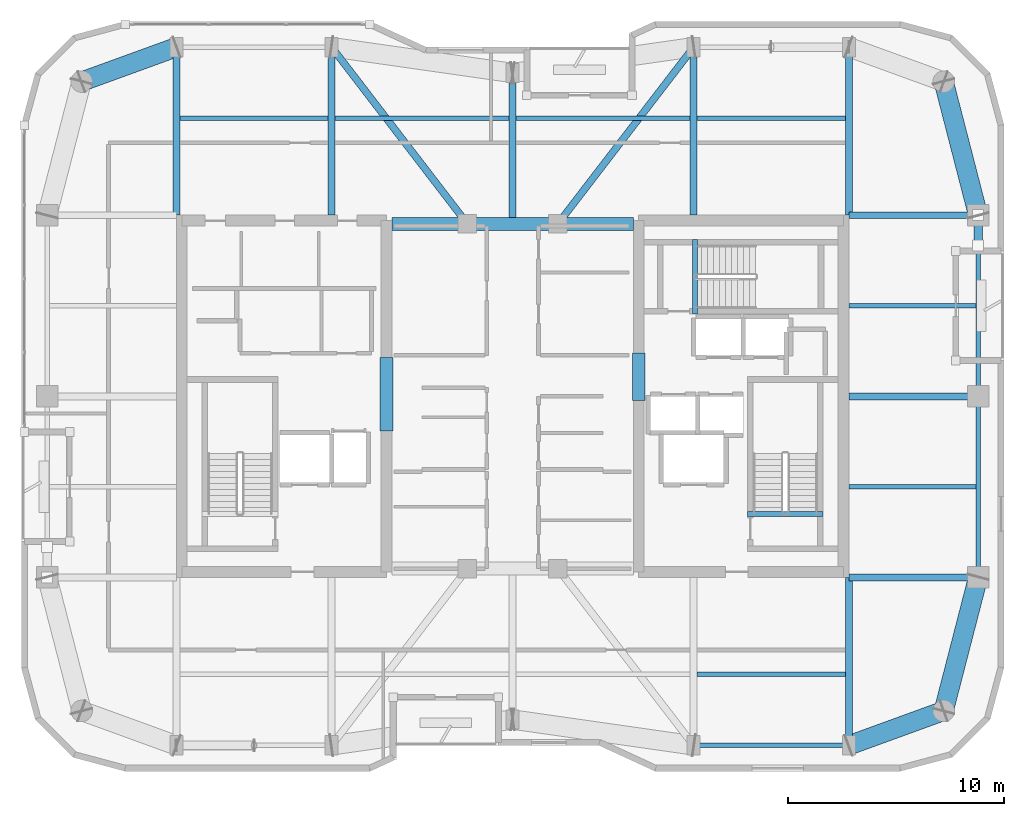
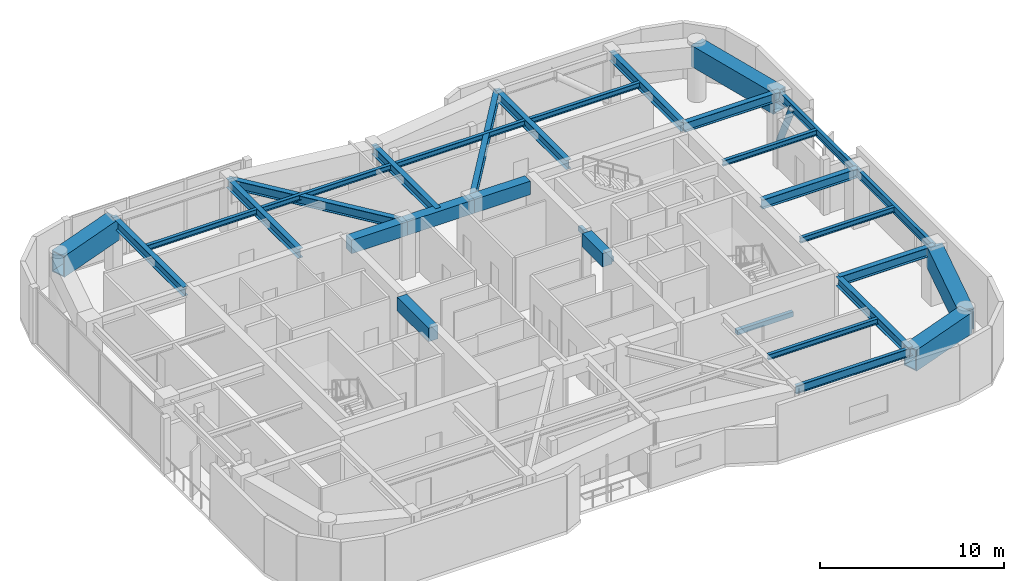
# One storey, part 5 of 15: 32 beams, 1 member.
"""IFC4 building model written with IfcOpenShell, lengths in metres."""

import ifcopenshell
import ifcopenshell.guid

model = None  # the IFC model being written
_history = None  # IfcOwnerHistory: only IFC2X3 demands one
_inside = {}  # id of a spatial element -> (the spatial element, [elements in it])
_under = {}  # id of a project, library or spatial element -> (it, [spatial elements below it])
_declared = {}  # id of a project -> (the project, [libraries it declares])
_typed = {}  # id of a type object -> (the type object, [elements of that type])
_made_of = {}  # id of a material, layer set ... -> (it, [elements and type objects made of it])


def new_model(schema):
    """Start an empty IFC model of exactly this schema.

    Asked for "IFC4X3", IfcOpenShell would pick the latest addendum, in which some entities
    have other attributes; the version numbers below select the first issue.
    IFC2X3 requires an IfcOwnerHistory on every rooted entity: one is made here for all.
    """
    global model, _history
    if schema == "IFC4X3":
        model = ifcopenshell.file(schema_version=(4, 3, 0, 0))
    else:
        model = ifcopenshell.file(schema=schema)
    _inside.clear()
    _under.clear()
    _declared.clear()
    _typed.clear()
    _made_of.clear()
    _history = None
    if model.schema == "IFC2X3":
        org = make("IfcOrganization", Name="unknown")
        user = make(
            "IfcPersonAndOrganization",
            ThePerson=make("IfcPerson", FamilyName="unknown"),
            TheOrganization=org,
        )
        app = make(
            "IfcApplication",
            ApplicationDeveloper=org,
            Version="unknown",
            ApplicationFullName="unknown",
            ApplicationIdentifier="unknown",
        )
        _history = make(
            "IfcOwnerHistory",
            OwningUser=user,
            OwningApplication=app,
            ChangeAction="ADDED",
            CreationDate=0,
        )
    return model


def make(cls, **values):
    """One entity of the class cls with the attributes given. An attribute that is None is left unset."""
    return model.create_entity(
        cls, **{name: value for name, value in values.items() if value is not None}
    )


def rooted(cls, **values):
    """An entity with a GlobalId (a new one), such as an element, a storey or a relation."""
    return make(cls, GlobalId=ifcopenshell.guid.new(), OwnerHistory=_history, **values)


def si_unit(unit_type, name, prefix=None):
    """IfcSIUnit, for example si_unit("LENGTHUNIT", "METRE", prefix="MILLI")."""
    return make("IfcSIUnit", UnitType=unit_type, Prefix=prefix, Name=name)


def assignment(units):
    """IfcUnitAssignment: the units of a project."""
    return None if units is None else make("IfcUnitAssignment", Units=units)


def point(xyz):
    """IfcCartesianPoint."""
    return None if xyz is None else make("IfcCartesianPoint", Coordinates=xyz)


def direction(xyz):
    """IfcDirection."""
    return None if xyz is None else make("IfcDirection", DirectionRatios=xyz)


def frame(location, z_axis=None, x_axis=None):
    """IfcAxis2Placement3D, a coordinate frame: its origin and axes. An axis left out is left unset."""
    return make(
        "IfcAxis2Placement3D",
        Location=point(location),
        Axis=direction(z_axis),
        RefDirection=direction(x_axis),
    )


def frame_2d(location, x_axis=None):
    """IfcAxis2Placement2D, a coordinate frame in the plane: its origin and x axis."""
    return make(
        "IfcAxis2Placement2D", Location=point(location), RefDirection=direction(x_axis)
    )


def origin():
    """The frame at (0, 0, 0) with its axes left unset."""
    return frame((0.0, 0.0, 0.0))


def origin_2d():
    """The frame at (0, 0) in the plane with its x axis left unset."""
    return frame_2d((0.0, 0.0))


def place(relative_to, where):
    """IfcLocalPlacement: puts the frame where relative to a parent placement (None: the world)."""
    return make(
        "IfcLocalPlacement", PlacementRelTo=relative_to, RelativePlacement=where
    )


def context(
    kind, dimensions, precision=None, world=None, true_north=None, identifier=None
):
    """IfcGeometricRepresentationContext, for example the 3D "Model" context."""
    return make(
        "IfcGeometricRepresentationContext",
        ContextIdentifier=identifier,
        ContextType=kind,
        CoordinateSpaceDimension=dimensions,
        Precision=precision,
        WorldCoordinateSystem=world,
        TrueNorth=true_north,
    )


def subcontext(parent, identifier, kind, view, scale=None):
    """IfcGeometricRepresentationSubContext, for example "Body" below "Model"."""
    return make(
        "IfcGeometricRepresentationSubContext",
        ContextIdentifier=identifier,
        ContextType=kind,
        ParentContext=parent,
        TargetScale=scale,
        TargetView=view,
    )


def project(units=None, contexts=None):
    """IfcProject with its units and contexts."""
    return rooted(
        "IfcProject",
        Name="project",
        RepresentationContexts=contexts,
        UnitsInContext=assignment(units),
    )


def spatial(cls, under=None, at=None, **own):
    """A site, building, storey or space (cls), placed at a placement, below another one or the project."""
    s = rooted(cls, ObjectPlacement=at, **own)
    if under is not None:
        _under.setdefault(under.id(), (under, []))[1].append(s)
    return s


def profile(cls, at=None, kind="AREA", **sizes):
    """A parametric profile (cls). Its sizes go by their IFC names, for example OverallWidth=200.0."""
    return make(cls, ProfileType=kind, Position=at, **sizes)


def rectangle(**sizes):
    """IfcRectangleProfileDef."""
    return profile("IfcRectangleProfileDef", **sizes)


def hollow_rectangle(**sizes):
    """IfcRectangleHollowProfileDef."""
    return profile("IfcRectangleHollowProfileDef", **sizes)


def hollow_circle(**sizes):
    """IfcCircleHollowProfileDef."""
    return profile("IfcCircleHollowProfileDef", **sizes)


def i_section(**sizes):
    """IfcIShapeProfileDef."""
    return profile("IfcIShapeProfileDef", **sizes)


def extrude(swept, where, along, depth):
    """IfcExtrudedAreaSolid: the profile swept, set in the frame where, extruded along a direction by depth."""
    return make(
        "IfcExtrudedAreaSolid",
        SweptArea=swept,
        Position=where,
        ExtrudedDirection=direction(along),
        Depth=depth,
    )


def shape(context_of_items, identifier, shape_type, items):
    """IfcShapeRepresentation: the items that make up one representation, for example the "Body"."""
    return make(
        "IfcShapeRepresentation",
        ContextOfItems=context_of_items,
        RepresentationIdentifier=identifier,
        RepresentationType=shape_type,
        Items=items,
    )


def material(Name=None, Category=None):
    """IfcMaterial."""
    return make("IfcMaterial", Name=Name, Category=Category)


def material_profile(
    of_material, cross_section, Name=None, Category=None, Priority=None
):
    """IfcMaterialProfile: a cross section and its material."""
    return make(
        "IfcMaterialProfile",
        Name=Name,
        Material=of_material,
        Profile=cross_section,
        Priority=Priority,
        Category=Category,
    )


def profile_set(profiles, Name=None, composite=None):
    """IfcMaterialProfileSet."""
    return make(
        "IfcMaterialProfileSet",
        Name=Name,
        MaterialProfiles=profiles,
        CompositeProfile=composite,
    )


def made_of(thing, what):
    """Note that an element or type object is made of a material, layer set ...; save() writes the relation."""
    if what is not None:
        _made_of.setdefault(what.id(), (what, []))[1].append(thing)
    return thing


def type_object(cls, material=None, **own):
    """A type object (cls), such as IfcWallType, which elements share."""
    return made_of(rooted(cls, **own), material)


def element(
    cls,
    number,
    at=None,
    inside=None,
    cuts=None,
    type_object=None,
    material=None,
    context=None,
    identifier="Body",
    shape_type=None,
    held_by="IfcProductDefinitionShape",
    body=None,
    shapes=None,
    **own,
):
    """One element of the class cls, such as IfcWall. Its Tag is "e" and its number.

    at: its placement. inside: the storey or other place that contains it. cuts: it is an
    opening in that element (IfcRelVoidsElement). A single representation is given by context,
    identifier, shape_type and body (its items); several are given by shapes. held_by: the class
    of the entity that holds the representations. save() writes the other relations.
    """
    e = rooted(cls, Tag="e%d" % number, ObjectPlacement=at, **own)
    if body is not None:
        shapes = [shape(context, identifier, shape_type, body)]
    if shapes is not None:
        e.Representation = make(held_by, Representations=shapes)
    if inside is not None:
        _inside.setdefault(inside.id(), (inside, []))[1].append(e)
    if cuts is not None:
        rooted(
            "IfcRelVoidsElement", RelatingBuildingElement=cuts, RelatedOpeningElement=e
        )
    if type_object is not None:
        _typed.setdefault(type_object.id(), (type_object, []))[1].append(e)
    return made_of(e, material)


def aggregate(whole, parts):
    """IfcRelAggregates: a whole, such as a stair, and the parts it consists of."""
    return rooted("IfcRelAggregates", RelatingObject=whole, RelatedObjects=parts)


def save(model, path):
    """Write the relations noted so far, then the file.

    IfcRelAggregates (storeys below a building ...), IfcRelContainedInSpatialStructure (elements
    in a storey), IfcRelDefinesByType, IfcRelAssociatesMaterial and IfcRelDeclares: one each for
    every whole, place, type object, material and project.
    """
    for whole, parts in _under.values():
        aggregate(whole, parts)
    for where, things in _inside.values():
        rooted(
            "IfcRelContainedInSpatialStructure",
            RelatedElements=things,
            RelatingStructure=where,
        )
    for kind, things in _typed.values():
        rooted("IfcRelDefinesByType", RelatedObjects=things, RelatingType=kind)
    for what, things in _made_of.values():
        rooted("IfcRelAssociatesMaterial", RelatedObjects=things, RelatingMaterial=what)
    for by, libraries in _declared.values():
        rooted("IfcRelDeclares", RelatingContext=by, RelatedDefinitions=libraries)
    model.write(path)


model = new_model("IFC4")

# Units and contexts
model_context = context("Model", 3, precision=1e-05, world=origin(), true_north=direction((0.0, 1.0)))
body_context = subcontext(model_context, "Body", "Model", "MODEL_VIEW")
ifc_project = project(units=[si_unit("LENGTHUNIT", "METRE"), si_unit("AREAUNIT", "SQUARE_METRE"), si_unit("VOLUMEUNIT", "CUBIC_METRE"), si_unit("PLANEANGLEUNIT", "RADIAN"), si_unit("MASSUNIT", "GRAM", prefix="KILO")], contexts=[model_context])

# Site, building, storey
site_placement = place(None, origin())
site = spatial("IfcSite", under=ifc_project, at=site_placement, CompositionType="ELEMENT")
building_placement = place(site_placement, origin())
building = spatial("IfcBuilding", under=site, at=building_placement, Name="Kiyonajd Concourse Tower", CompositionType="ELEMENT")
storey_placement = place(building_placement, frame((0.0, 0.0, 290.10009765625)))
storey = spatial("IfcBuildingStorey", under=building, at=storey_placement, Name="L73", CompositionType="ELEMENT", Elevation=290.10009765625)

# Beams
ifc_material_1 = material(Name="Concrete C60/75", Category="concrete")
ifc_material_profile_1 = material_profile(ifc_material_1, rectangle(XDim=0.60009765625, YDim=0.89990234375, at=origin_2d()), Name="RCBM-600x900")
ifc_profile_set_1 = profile_set([ifc_material_profile_1], Name="Concrete C60/75")
beam_type_1 = type_object("IfcBeamType", Name="BM-COUP-900", PredefinedType="LINTEL", material=ifc_profile_set_1)
beam_1_placement = place(storey_placement, frame((42.39990234375, 44.0, 3.22998046875), z_axis=(1.0, 0.0, 0.0), x_axis=(0.0, 1.0, 0.0)))
element("IfcBeam", 1, at=beam_1_placement, inside=storey, type_object=beam_type_1, Name="L73 Core Coupling Beam N1", PredefinedType="LINTEL", context=body_context, shape_type="SweptSolid", body=[
    extrude(rectangle(XDim=0.60009765625, YDim=0.89990234375, at=origin_2d()), origin(), (0.0, 0.0, 1.0), 3.5),
])
beam_2_placement = place(storey_placement, frame((45.89990234375, 44.0, 3.22998046875), z_axis=(1.0, 0.0, 0.0), x_axis=(0.0, 1.0, 0.0)))
element("IfcBeam", 2, at=beam_2_placement, inside=storey, type_object=beam_type_1, Name="L73 Core Coupling Beam N2", PredefinedType="LINTEL", context=body_context, shape_type="SweptSolid", body=[
    extrude(rectangle(XDim=0.60009765625, YDim=0.89990234375, at=origin_2d()), origin(), (0.0, 0.0, 1.0), 4.2001953125),
])
beam_3_placement = place(storey_placement, frame((50.10009765625, 44.0, 3.22998046875), z_axis=(1.0, 0.0, 0.0), x_axis=(0.0, 1.0, 0.0)))
element("IfcBeam", 3, at=beam_3_placement, inside=storey, type_object=beam_type_1, Name="L73 Core Coupling Beam N3", PredefinedType="LINTEL", context=body_context, shape_type="SweptSolid", body=[
    extrude(rectangle(XDim=0.60009765625, YDim=0.89990234375, at=origin_2d()), origin(), (0.0, 0.0, 1.0), 3.5),
])
beam_4_placement = place(storey_placement, frame((42.14990234375, 34.39990234375, 3.22998046875), z_axis=(0.0, 1.0, 0.0), x_axis=(-1.0, 0.0, 0.0)))
element("IfcBeam", 4, at=beam_4_placement, inside=storey, type_object=beam_type_1, Name="L73 West Core Throat Coupling Lintel", PredefinedType="LINTEL", context=body_context, shape_type="SweptSolid", body=[
    extrude(rectangle(XDim=0.60009765625, YDim=0.89990234375, at=origin_2d()), origin(), (0.0, 0.0, 1.0), 3.400146484375),
])
beam_5_placement = place(storey_placement, frame((53.85009765625, 35.800048828125, 3.22998046875), z_axis=(0.0, 1.0, 0.0), x_axis=(-1.0, 0.0, 0.0)))
element("IfcBeam", 5, at=beam_5_placement, inside=storey, type_object=beam_type_1, Name="L73 East Core Throat Coupling Lintel", PredefinedType="LINTEL", context=body_context, shape_type="SweptSolid", body=[
    extrude(rectangle(XDim=0.60009765625, YDim=0.89990234375, at=origin_2d()), origin(), (0.0, 0.0, 1.0), 2.199951171875),
])
ifc_material_2 = material(Name="Steel ASTM A992 Grade 50", Category="steel")
ifc_material_profile_2 = material_profile(ifc_material_2, i_section(OverallWidth=0.205078125, OverallDepth=0.35400390625, WebThickness=0.009521484375, FlangeThickness=0.016845703125, at=origin_2d()), Name="W360X79")
ifc_profile_set_2 = profile_set([ifc_material_profile_2], Name="Steel ASTM A992 Grade 50")
beam_type_2 = type_object("IfcBeamType", Name="BM-JST-360", PredefinedType="JOIST", material=ifc_profile_set_2)
for number, where, z_axis, x_axis, name in (
    (6, (56.56201171875, 23.10009765625, 3.5029296875), (1.0, 0.0, 0.0), (0.0, 1.0, 0.0), "L73 Secondary Floor Joist"),
    (7, (32.56201171875, 48.89990234375, 3.5029296875), (1.0, 0.0, 0.0), (0.0, 1.0, 0.0), "L73 Secondary Floor Joist"),
):
    element("IfcBeam", number, at=place(storey_placement, frame(where, z_axis=z_axis, x_axis=x_axis)), inside=storey, type_object=beam_type_2, Name=name, PredefinedType="JOIST", context=body_context, shape_type="SweptSolid", body=[
        extrude(i_section(OverallWidth=0.205078125, OverallDepth=0.35400390625, WebThickness=0.009521484375, FlangeThickness=0.016845703125, at=origin_2d()), origin(), (0.0, 0.0, 1.0), 6.8759765625),
    ])
for number, where, z_axis, x_axis, name in (
    (8, (39.761962890625, 48.89990234375, 3.5029296875), (1.0, 0.0, 0.0), (0.0, 1.0, 0.0), "L73 Secondary Floor Joist"),
    (9, (48.162109375, 48.89990234375, 3.5029296875), (1.0, 0.0, 0.0), (0.0, 1.0, 0.0), "L73 Secondary Floor Joist"),
):
    element("IfcBeam", number, at=place(storey_placement, frame(where, z_axis=z_axis, x_axis=x_axis)), inside=storey, type_object=beam_type_2, Name=name, PredefinedType="JOIST", context=body_context, shape_type="SweptSolid", body=[
        extrude(i_section(OverallWidth=0.205078125, OverallDepth=0.35400390625, WebThickness=0.009521484375, FlangeThickness=0.016845703125, at=origin_2d()), origin(), (0.0, 0.0, 1.0), 8.075927734375),
    ])
beam_6_placement = place(storey_placement, frame((56.56201171875, 48.89990234375, 3.5029296875), z_axis=(1.0, 0.0, 0.0), x_axis=(0.0, 1.0, 0.0)))
element("IfcBeam", 10, at=beam_6_placement, inside=storey, type_object=beam_type_2, Name="L73 Secondary Floor Joist", PredefinedType="JOIST", context=body_context, shape_type="SweptSolid", body=[
    extrude(i_section(OverallWidth=0.205078125, OverallDepth=0.35400390625, WebThickness=0.009521484375, FlangeThickness=0.016845703125, at=origin_2d()), origin(), (0.0, 0.0, 1.0), 6.8759765625),
])
for number, where, z_axis, x_axis, name in (
    (11, (63.60009765625, 31.800048828125, 3.5029296875), (1.0, 0.0, 0.0), (0.0, 1.0, 0.0), "L73 East Secondary Floor Joist"),
    (12, (63.60009765625, 40.199951171875, 3.5029296875), (1.0, 0.0, 0.0), (0.0, 1.0, 0.0), "L73 East Secondary Floor Joist"),
):
    element("IfcBeam", number, at=place(storey_placement, frame(where, z_axis=z_axis, x_axis=x_axis)), inside=storey, type_object=beam_type_2, Name=name, PredefinedType="JOIST", context=body_context, shape_type="SweptSolid", body=[
        extrude(i_section(OverallWidth=0.205078125, OverallDepth=0.35400390625, WebThickness=0.009521484375, FlangeThickness=0.016845703125, at=origin_2d()), origin(), (0.0, 0.0, 1.0), 5.894287109375),
    ])
ifc_material_3 = material(Name="Concrete C50/60", Category="concrete")
ifc_material_profile_3 = material_profile(ifc_material_3, rectangle(XDim=0.239990234375, YDim=0.320068359375, at=origin_2d()), Name="RCBM-240x320")
ifc_profile_set_3 = profile_set([ifc_material_profile_3], Name="Concrete C50/60")
beam_type_3 = type_object("IfcBeamType", Name="BM-LNT-250", PredefinedType="LINTEL", material=ifc_profile_set_3)
beam_7_placement = place(storey_placement, frame((58.889892578125, 30.530029296875, -0.16015625), z_axis=(1.0, 0.0, 0.0), x_axis=(0.0, 1.0, 0.0)))
element("IfcBeam", 13, at=beam_7_placement, inside=storey, type_object=beam_type_3, Name="L73 Stair ST2 Threshold Support Beam", PredefinedType="LINTEL", context=body_context, shape_type="SweptSolid", body=[
    extrude(rectangle(XDim=0.239990234375, YDim=0.320068359375, at=origin_2d()), origin(), (0.0, 0.0, 1.0), 3.52001953125),
])
beam_8_placement = place(storey_placement, frame((56.4599609375, 39.820068359375, -0.16015625), z_axis=(0.0, 1.0, 0.0), x_axis=(-1.0, 0.0, 0.0)))
element("IfcBeam", 14, at=beam_8_placement, inside=storey, type_object=beam_type_3, Name="L73 Stair ST3 Threshold Support Beam", PredefinedType="LINTEL", context=body_context, shape_type="SweptSolid", body=[
    extrude(rectangle(XDim=0.239990234375, YDim=0.320068359375, at=origin_2d()), origin(), (0.0, 0.0, 1.0), 3.4599609375),
])
ifc_material_profile_4 = material_profile(ifc_material_2, i_section(OverallWidth=0.2109375, OverallDepth=0.5390625, WebThickness=0.01171875, FlangeThickness=0.018798828125, at=origin_2d()), Name="W530X109")
ifc_profile_set_4 = profile_set([ifc_material_profile_4], Name="Steel ASTM A992 Grade 50")
beam_type_4 = type_object("IfcBeamType", Name="BM-SPAN-530B", PredefinedType="SPANDREL", material=ifc_profile_set_4)
beam_9_placement = place(storey_placement, frame((56.39990234375, 19.800048828125, 3.410400390625), z_axis=(1.0, 0.0, 0.0), x_axis=(0.0, 1.0, 0.0)))
element("IfcBeam", 15, at=beam_9_placement, inside=storey, type_object=beam_type_4, Name="L73 Perimeter Bundled Tube Spandrel", PredefinedType="SPANDREL", context=body_context, shape_type="SweptSolid", body=[
    extrude(i_section(OverallWidth=0.2109375, OverallDepth=0.5390625, WebThickness=0.01171875, FlangeThickness=0.018798828125, at=origin_2d()), origin(), (0.0, 0.0, 1.0), 7.2001953125),
])
for number, where, z_axis, x_axis, name in (
    (16, (69.60009765625, 27.60009765625, 3.410400390625), (0.0, 1.0, 0.0), (-1.0, 0.0, 0.0), "L73 Perimeter Bundled Tube Spandrel"),
    (17, (69.60009765625, 36.0, 3.410400390625), (0.0, 1.0, 0.0), (-1.0, 0.0, 0.0), "L73 Perimeter Bundled Tube Spandrel"),
):
    element("IfcBeam", number, at=place(storey_placement, frame(where, z_axis=z_axis, x_axis=x_axis)), inside=storey, type_object=beam_type_4, Name=name, PredefinedType="SPANDREL", context=body_context, shape_type="SweptSolid", body=[
        extrude(i_section(OverallWidth=0.2109375, OverallDepth=0.5390625, WebThickness=0.01171875, FlangeThickness=0.018798828125, at=origin_2d()), origin(), (0.0, 0.0, 1.0), 8.39990234375),
    ])
ifc_material_profile_5 = material_profile(ifc_material_2, i_section(OverallWidth=0.326904296875, OverallDepth=0.6220703125, WebThickness=0.015380859375, FlangeThickness=0.0244140625, at=origin_2d()), Name="W610X195")
ifc_profile_set_5 = profile_set([ifc_material_profile_5], Name="Steel ASTM A992 Grade 50")
beam_type_5 = type_object("IfcBeamType", Name="BM-TWR-610A", PredefinedType="BEAM", material=ifc_profile_set_5)
for number, where, z_axis, x_axis, name in (
    (18, (39.60009765625, 52.199951171875, 3.368896484375), (0.609233709922, -0.792990722956, 0.0), (0.792990722956, 0.609233709922, 0.0), "L73 Core Tie Girder"),
    (19, (50.10009765625, 44.0, 3.368896484375), (0.609233709922, 0.792990722956, 0.0), (-0.792990722956, 0.609233709922, 0.0), "L73 Core Tie Girder"),
):
    element("IfcBeam", number, at=place(storey_placement, frame(where, z_axis=z_axis, x_axis=x_axis)), inside=storey, type_object=beam_type_5, Name=name, PredefinedType="BEAM", context=body_context, shape_type="SweptSolid", body=[
        extrude(i_section(OverallWidth=0.326904296875, OverallDepth=0.6220703125, WebThickness=0.015380859375, FlangeThickness=0.0244140625, at=origin_2d()), origin(), (0.0, 0.0, 1.0), 10.340576171875),
    ])
ifc_material_profile_6 = material_profile(ifc_material_2, i_section(OverallWidth=0.323974609375, OverallDepth=0.611083984375, WebThickness=0.0126953125, FlangeThickness=0.01904296875, at=origin_2d()), Name="W610X155")
ifc_profile_set_6 = profile_set([ifc_material_profile_6], Name="Steel ASTM A992 Grade 50")
beam_type_6 = type_object("IfcBeamType", Name="BM-TWR-610B", PredefinedType="BEAM", material=ifc_profile_set_6)
for number, where, z_axis, x_axis, name in (
    (20, (32.39990234375, 44.39990234375, 3.37451171875), (0.0, 1.0, 0.0), (-1.0, 0.0, 0.0), "L73 North Lease Girder"),
    (21, (39.60009765625, 44.39990234375, 3.37451171875), (0.0, 1.0, 0.0), (-1.0, 0.0, 0.0), "L73 North Lease Girder"),
    (22, (56.39990234375, 44.39990234375, 3.37451171875), (0.0, 1.0, 0.0), (-1.0, 0.0, 0.0), "L73 North Lease Girder"),
    (23, (63.60009765625, 19.800048828125, 3.37451171875), (0.0, 1.0, 0.0), (-1.0, 0.0, 0.0), "L73 South Lease Girder"),
    (24, (63.60009765625, 44.39990234375, 3.37451171875), (0.0, 1.0, 0.0), (-1.0, 0.0, 0.0), "L73 North Lease Girder"),
):
    element("IfcBeam", number, at=place(storey_placement, frame(where, z_axis=z_axis, x_axis=x_axis)), inside=storey, type_object=beam_type_6, Name=name, PredefinedType="BEAM", context=body_context, shape_type="SweptSolid", body=[
        extrude(i_section(OverallWidth=0.323974609375, OverallDepth=0.611083984375, WebThickness=0.0126953125, FlangeThickness=0.01904296875, at=origin_2d()), origin(), (0.0, 0.0, 1.0), 7.800048828125),
    ])
beam_10_placement = place(storey_placement, frame((48.0, 44.0, 3.37451171875), z_axis=(0.0, 1.0, 0.0), x_axis=(-1.0, 0.0, 0.0)))
element("IfcBeam", 25, at=beam_10_placement, inside=storey, type_object=beam_type_6, Name="L73 North Ribbon Girder", PredefinedType="BEAM", context=body_context, shape_type="SweptSolid", body=[
    extrude(i_section(OverallWidth=0.323974609375, OverallDepth=0.611083984375, WebThickness=0.0126953125, FlangeThickness=0.01904296875, at=origin_2d()), origin(), (0.0, 0.0, 1.0), 7.0),
])
for number, where, z_axis, x_axis, name in (
    (26, (63.60009765625, 27.60009765625, 3.37451171875), (1.0, 0.0, 0.0), (0.0, 1.0, 0.0), "L73 East Lease Girder"),
    (27, (63.60009765625, 36.0, 3.37451171875), (1.0, 0.0, 0.0), (0.0, 1.0, 0.0), "L73 East Lease Girder"),
    (28, (63.60009765625, 44.39990234375, 3.37451171875), (1.0, 0.0, 0.0), (0.0, 1.0, 0.0), "L73 East Lease Girder"),
):
    element("IfcBeam", number, at=place(storey_placement, frame(where, z_axis=z_axis, x_axis=x_axis)), inside=storey, type_object=beam_type_6, Name=name, PredefinedType="BEAM", context=body_context, shape_type="SweptSolid", body=[
        extrude(i_section(OverallWidth=0.323974609375, OverallDepth=0.611083984375, WebThickness=0.0126953125, FlangeThickness=0.01904296875, at=origin_2d()), origin(), (0.0, 0.0, 1.0), 6.0),
    ])
ifc_material_4 = material(Name="Steel ASTM A572 Grade 50", Category="steel")
ifc_material_profile_7 = material_profile(ifc_material_4, hollow_rectangle(XDim=0.89990234375, YDim=1.39990234375, WallThickness=0.070068359375, at=origin_2d()), Name="BOX-1400x900x70")
ifc_profile_set_7 = profile_set([ifc_material_profile_7], Name="Steel ASTM A572 Grade 50")
beam_type_7 = type_object("IfcBeamType", Name="BM-XFER-1400", PredefinedType="BEAM", material=ifc_profile_set_7)
beam_11_placement = place(storey_placement, frame((63.60009765625, 19.800048828125, 2.97998046875), z_axis=(0.939801036019, 0.341722127901, 0.0), x_axis=(-0.341722127901, 0.939801036019, 0.0)))
element("IfcBeam", 29, at=beam_11_placement, inside=storey, type_object=beam_type_7, Name="L73 Perimeter Bundled Tube Spandrel", PredefinedType="BEAM", context=body_context, shape_type="SweptSolid", body=[
    extrude(hollow_rectangle(XDim=0.89990234375, YDim=1.39990234375, WallThickness=0.070068359375, at=origin_2d()), origin(), (0.0, 0.0, 1.0), 4.681640625),
])
for number, where, z_axis, x_axis, name in (
    (30, (68.0, 21.39990234375, 2.97998046875), (0.249884937687, 0.968275538221, 0.0), (-0.968275538221, 0.249884937687, 0.0), "L73 Perimeter Bundled Tube Spandrel"),
    (31, (69.60009765625, 44.39990234375, 2.97998046875), (-0.249884937687, 0.968275538221, 0.0), (-0.968275538221, -0.249884937687, 0.0), "L73 Perimeter Bundled Tube Spandrel"),
):
    element("IfcBeam", number, at=place(storey_placement, frame(where, z_axis=z_axis, x_axis=x_axis)), inside=storey, type_object=beam_type_7, Name=name, PredefinedType="BEAM", context=body_context, shape_type="SweptSolid", body=[
        extrude(hollow_rectangle(XDim=0.89990234375, YDim=1.39990234375, WallThickness=0.070068359375, at=origin_2d()), origin(), (0.0, 0.0, 1.0), 6.4033203125),
    ])
beam_12_placement = place(storey_placement, frame((32.39990234375, 52.199951171875, 2.97998046875), z_axis=(-0.939801036019, -0.341722127901, 0.0), x_axis=(0.341722127901, -0.939801036019, 0.0)))
element("IfcBeam", 32, at=beam_12_placement, inside=storey, type_object=beam_type_7, Name="L73 Perimeter Bundled Tube Spandrel", PredefinedType="BEAM", context=body_context, shape_type="SweptSolid", body=[
    extrude(hollow_rectangle(XDim=0.89990234375, YDim=1.39990234375, WallThickness=0.070068359375, at=origin_2d()), origin(), (0.0, 0.0, 1.0), 4.681640625),
])

# Member
ifc_material_5 = material(Name="Steel ASTM A500 Grade C", Category="steel")
ifc_material_profile_8 = material_profile(ifc_material_5, hollow_circle(Radius=0.202880859375, WallThickness=0.01904296875, at=origin_2d()), Name="CHS-406x19")
ifc_profile_set_8 = profile_set([ifc_material_profile_8], Name="Steel ASTM A500 Grade C")
member_type = type_object("IfcMemberType", Name="MB-PB-HIGH", PredefinedType="BRACE", material=ifc_profile_set_8)
member_placement = place(storey_placement, frame((69.60009765625, 44.39990234375, 0.2998046875), z_axis=(0.0, -0.419410666774, 0.907796614114), x_axis=(1.0, 0.0, 0.0)))
element("IfcMember", 33, at=member_placement, inside=storey, type_object=member_type, Name="L73 Upper Zone Hollow Tube Brace PBE", PredefinedType="BRACE", context=body_context, shape_type="SweptSolid", body=[
    extrude(hollow_circle(Radius=0.202880859375, WallThickness=0.01904296875, at=origin_2d()), origin(), (0.0, 0.0, 1.0), 3.337890625),
])

save(model, "model.ifc")
